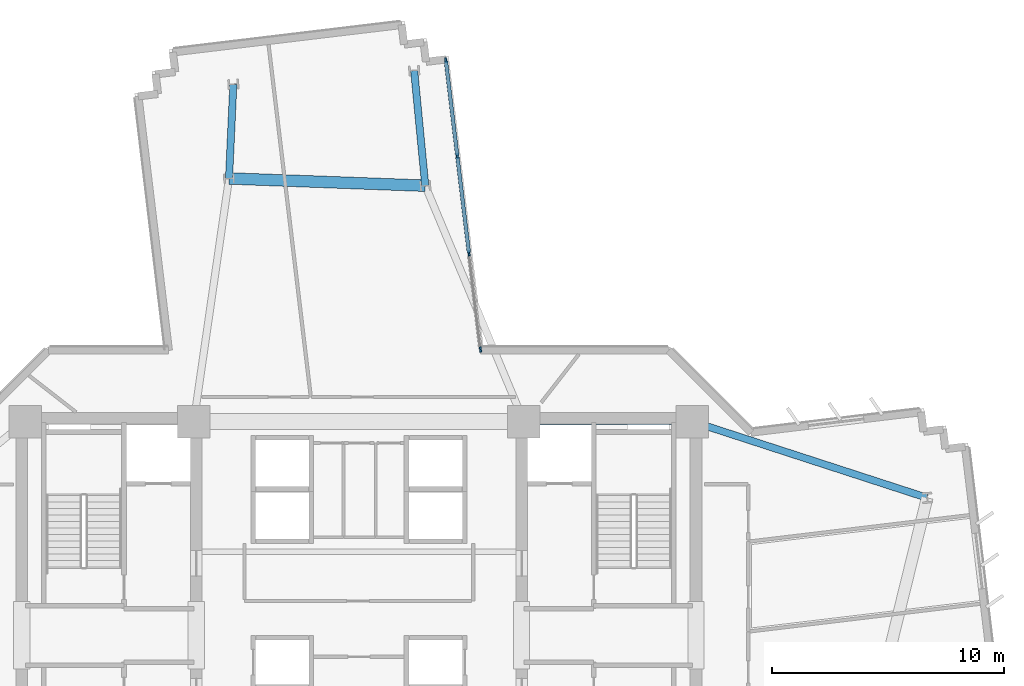
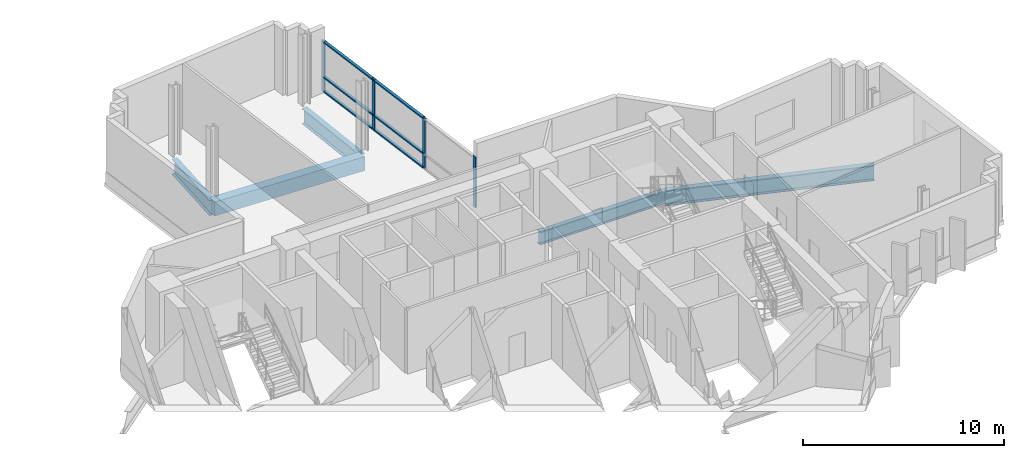
# One storey, part 4 of 15: 10 members, 5 beams, 1 element without a shape of its own.
"""IFC4 building model written with IfcOpenShell, lengths in metres."""

from ifc_helpers import new_model, si_unit, direction, frame, origin, origin_2d, place, context, subcontext, project, spatial, rectangle, i_section, extrude, source, transform, mapped, material, layer, layer_set, material_profile, profile_set, type_object, element, aggregate, save


model = new_model("IFC4")

# Units and contexts
model_context = context("Model", 3, precision=1e-05, world=origin(), true_north=direction((0.0, 1.0)))
body_context = subcontext(model_context, "Body", "Model", "MODEL_VIEW")
ifc_project = project(units=[si_unit("LENGTHUNIT", "METRE"), si_unit("AREAUNIT", "SQUARE_METRE"), si_unit("VOLUMEUNIT", "CUBIC_METRE"), si_unit("PLANEANGLEUNIT", "RADIAN"), si_unit("MASSUNIT", "GRAM", prefix="KILO")], contexts=[model_context])

# Site, building, storey
site_placement = place(None, origin())
site = spatial("IfcSite", under=ifc_project, at=site_placement, CompositionType="ELEMENT")
building_placement = place(site_placement, origin())
building = spatial("IfcBuilding", under=site, at=building_placement, Name="Zahravan Cultural Tower", CompositionType="ELEMENT")
storey_placement = place(building_placement, frame((0.0, 0.0, 104.699951171875)))
storey = spatial("IfcBuildingStorey", under=building, at=storey_placement, Name="L23", CompositionType="ELEMENT", Elevation=104.699951171875)

# Beams
ifc_material_1 = material(Name="Steel ASTM A992 Grade 50", Category="steel")
ifc_material_profile_1 = material_profile(ifc_material_1, i_section(OverallWidth=0.26611328125, OverallDepth=0.780029296875, WebThickness=0.0166015625, FlangeThickness=0.030029296875, FilletRadius=0.01904296875, at=origin_2d()), Name="W30X148")
ifc_profile_set_1 = profile_set([ifc_material_profile_1], Name="Steel ASTM A992 Grade 50")
beam_type_1 = type_object("IfcBeamType", Name="BM-G-W30X148", PredefinedType="BEAM", material=ifc_profile_set_1)
shared_shape_1 = source(origin(), body_context, "Body", "SweptSolid", [
    extrude(i_section(OverallWidth=0.26611328125, OverallDepth=0.780029296875, WebThickness=0.0166015625, FlangeThickness=0.030029296875, FilletRadius=0.01904296875, at=origin_2d()), origin(), (0.0, 0.0, 1.0), 7.25),
])
beam_1_placement = place(storey_placement, frame((43.10009765625, 36.199951171875, -0.639892578125), z_axis=(1.0, 0.0, 0.0), x_axis=(0.0, 1.0, 0.0)))
element("IfcBeam", 1, at=beam_1_placement, inside=storey, type_object=beam_type_1, Name="L23 Beam BG-L23-05", PredefinedType="BEAM", context=body_context, shape_type="MappedRepresentation", body=[
    mapped(shared_shape_1, transform((0.0, 0.0, 0.0), x_axis=(1.0, 0.0, 0.0), y_axis=(0.0, 1.0, 0.0), z_axis=(0.0, 0.0, 1.0), scale=1.0)),
])
ifc_material_profile_2 = material_profile(ifc_material_1, i_section(OverallWidth=0.30908203125, OverallDepth=0.931884765625, WebThickness=0.02099609375, FlangeThickness=0.034423828125, FilletRadius=0.02392578125, at=origin_2d()), Name="W36X210")
ifc_profile_set_2 = profile_set([ifc_material_profile_2], Name="Steel ASTM A992 Grade 50")
beam_type_2 = type_object("IfcBeamType", Name="BM-G-W36X210", PredefinedType="BEAM", material=ifc_profile_set_2)
shared_shape_2 = source(origin(), body_context, "Body", "SweptSolid", [
    extrude(i_section(OverallWidth=0.30908203125, OverallDepth=0.931884765625, WebThickness=0.02099609375, FlangeThickness=0.034423828125, FilletRadius=0.02392578125, at=origin_2d()), origin(), (0.0, 0.0, 1.0), 10.615966796875),
])
beam_2_placement = place(storey_placement, frame((50.35009765625, 36.199951171875, -0.716064453125), z_axis=(0.951063640083, -0.30899506875, 0.0), x_axis=(0.30899506875, 0.951063640083, 0.0)))
element("IfcBeam", 2, at=beam_2_placement, inside=storey, type_object=beam_type_2, Name="L23 Beam BG-L23-11", PredefinedType="BEAM", context=body_context, shape_type="MappedRepresentation", body=[
    mapped(shared_shape_2, transform((0.0, 0.0, 0.0), x_axis=(1.0, 0.0, 0.0), y_axis=(0.0, 1.0, 0.0), z_axis=(0.0, 0.0, 1.0), scale=1.0)),
])
shared_shape_3 = source(origin(), body_context, "Body", "SweptSolid", [
    extrude(i_section(OverallWidth=0.30908203125, OverallDepth=0.931884765625, WebThickness=0.02099609375, FlangeThickness=0.034423828125, FilletRadius=0.02392578125, at=origin_2d()), origin(), (0.0, 0.0, 1.0), 4.973876953125),
])
beam_3_placement = place(storey_placement, frame((38.857421875, 46.346435546875, -0.716064453125), z_axis=(-0.096154779131, 0.995366394073, 0.0), x_axis=(-0.995366394073, -0.096154779131, 0.0)))
element("IfcBeam", 3, at=beam_3_placement, inside=storey, type_object=beam_type_2, Name="L23 Beam BG-L23-15", PredefinedType="BEAM", context=body_context, shape_type="MappedRepresentation", body=[
    mapped(shared_shape_3, transform((0.0, 0.0, 0.0), x_axis=(1.0, 0.0, 0.0), y_axis=(0.0, 1.0, 0.0), z_axis=(0.0, 0.0, 1.0), scale=1.0)),
])
shared_shape_4 = source(origin(), body_context, "Body", "SweptSolid", [
    extrude(i_section(OverallWidth=0.30908203125, OverallDepth=0.931884765625, WebThickness=0.02099609375, FlangeThickness=0.034423828125, FilletRadius=0.02392578125, at=origin_2d()), origin(), (0.0, 0.0, 1.0), 4.0537109375),
])
beam_4_placement = place(storey_placement, frame((30.4150390625, 46.658203125, -0.716064453125), z_axis=(0.045770994677, 0.998951958828, 0.0), x_axis=(-0.998951958828, 0.045770994677, 0.0)))
element("IfcBeam", 4, at=beam_4_placement, inside=storey, type_object=beam_type_2, Name="L23 Beam BG-L23-16", PredefinedType="BEAM", context=body_context, shape_type="MappedRepresentation", body=[
    mapped(shared_shape_4, transform((0.0, 0.0, 0.0), x_axis=(1.0, 0.0, 0.0), y_axis=(0.0, 1.0, 0.0), z_axis=(0.0, 0.0, 1.0), scale=1.0)),
])
ifc_material_2 = material(Name="Concrete C50/60", Category="concrete")
ifc_material_profile_3 = material_profile(ifc_material_2, rectangle(XDim=0.5, YDim=0.85009765625, at=origin_2d()), Name="RC500X850")
ifc_profile_set_3 = profile_set([ifc_material_profile_3], Name="Concrete C50/60")
beam_type_3 = type_object("IfcBeamType", Name="BM-SP-RC500X850", PredefinedType="SPANDREL", material=ifc_profile_set_3)
shared_shape_5 = source(origin(), body_context, "Body", "SweptSolid", [
    extrude(rectangle(XDim=0.5, YDim=0.85009765625, at=origin_2d()), origin(), (0.0, 0.0, 1.0), 8.4482421875),
])
beam_5_placement = place(storey_placement, frame((38.857421875, 46.346435546875, -0.675048828125), z_axis=(-0.999318826256, 0.036903705643, 0.0), x_axis=(-0.036903705643, -0.999318826256, 0.0)))
element("IfcBeam", 5, at=beam_5_placement, inside=storey, type_object=beam_type_3, Name="L23 Beam SP-L23-21", PredefinedType="SPANDREL", context=body_context, shape_type="MappedRepresentation", body=[
    mapped(shared_shape_5, transform((0.0, 0.0, 0.0), x_axis=(1.0, 0.0, 0.0), y_axis=(0.0, 1.0, 0.0), z_axis=(0.0, 0.0, 1.0), scale=1.0)),
])

# Curtain wall, members
ifc_material_3 = material(Name="Anodised bronze-aluminium mullion", Category="aluminium")
ifc_layer = layer(ifc_material_3, 0.219970703125)
ifc_layer_set = layer_set([ifc_layer], Name="Anodised bronze-aluminium mullion")
curtain_wall_type = type_object("IfcCurtainWallType", Name="CW-SYS-1", PredefinedType="USERDEFINED", material=ifc_layer_set)
curtain_wall_placement = place(storey_placement, origin())
curtain_wall = element("IfcCurtainWall", 6, at=curtain_wall_placement, inside=storey, type_object=curtain_wall_type, Name="L23 Recessed Curtain Wall CW-1.2", ObjectType="RECESSED GLAZING", PredefinedType="USERDEFINED")
ifc_material_profile_4 = material_profile(ifc_material_3, rectangle(XDim=0.080078125, YDim=0.219970703125, at=origin_2d()), Name="AL-M80X220")
ifc_profile_set_4 = profile_set([ifc_material_profile_4], Name="Anodised bronze-aluminium mullion")
member_type_1 = type_object("IfcMemberType", Name="CWM-CW-1", PredefinedType="MULLION", material=ifc_profile_set_4)
shared_shape_6 = source(origin(), body_context, "Body", "SweptSolid", [
    extrude(rectangle(XDim=0.080078125, YDim=0.219970703125, at=origin_2d()), origin(), (0.0, 0.0, 1.0), 3.070068359375),
])
member_1_placement = place(storey_placement, frame((39.739990234375, 51.741455078125, 0.0), z_axis=(0.0, 0.0, 1.0), x_axis=(0.992882878226, 0.11909487867, 0.0)))
member_1 = element("IfcMember", 7, at=member_1_placement, type_object=member_type_1, Name="CW-1 mullion 1", PredefinedType="MULLION", context=body_context, shape_type="MappedRepresentation", body=[
    mapped(shared_shape_6, transform((0.0, 0.0, 0.0), x_axis=(1.0, 0.0, 0.0), y_axis=(0.0, 1.0, 0.0), z_axis=(0.0, 0.0, 1.0), scale=1.0)),
])
member_2_placement = place(storey_placement, frame((40.23583984375, 47.607421875, 0.0), z_axis=(0.0, 0.0, 1.0), x_axis=(0.992882878226, 0.11909487867, 0.0)))
member_2 = element("IfcMember", 8, at=member_2_placement, type_object=member_type_1, Name="CW-1 mullion 2", PredefinedType="MULLION", context=body_context, shape_type="MappedRepresentation", body=[
    mapped(shared_shape_6, transform((0.0, 0.0, 0.0), x_axis=(1.0, 0.0, 0.0), y_axis=(0.0, 1.0, 0.0), z_axis=(0.0, 0.0, 1.0), scale=1.0)),
])
member_3_placement = place(storey_placement, frame((40.736572265625, 43.433837890625, 0.0), z_axis=(0.0, 0.0, 1.0), x_axis=(0.992882878226, 0.11909487867, 0.0)))
member_3 = element("IfcMember", 9, at=member_3_placement, type_object=member_type_1, Name="CW-1 mullion 3", PredefinedType="MULLION", context=body_context, shape_type="MappedRepresentation", body=[
    mapped(shared_shape_6, transform((0.0, 0.0, 0.0), x_axis=(1.0, 0.0, 0.0), y_axis=(0.0, 1.0, 0.0), z_axis=(0.0, 0.0, 1.0), scale=1.0)),
])
member_4_placement = place(storey_placement, frame((41.232421875, 39.2998046875, 0.0), z_axis=(0.0, 0.0, 1.0), x_axis=(0.992882878226, 0.11909487867, 0.0)))
member_4 = element("IfcMember", 10, at=member_4_placement, type_object=member_type_1, Name="CW-1 mullion 4", PredefinedType="MULLION", context=body_context, shape_type="MappedRepresentation", body=[
    mapped(shared_shape_6, transform((0.0, 0.0, 0.0), x_axis=(1.0, 0.0, 0.0), y_axis=(0.0, 1.0, 0.0), z_axis=(0.0, 0.0, 1.0), scale=1.0)),
])
ifc_material_profile_5 = material_profile(ifc_material_3, rectangle(XDim=0.159912109375, YDim=0.080078125, at=origin_2d()), Name="AL-T80X160")
ifc_profile_set_5 = profile_set([ifc_material_profile_5], Name="Anodised bronze-aluminium mullion")
member_type_2 = type_object("IfcMemberType", Name="CWT-CW-1", PredefinedType="USERDEFINED", material=ifc_profile_set_5)
shared_shape_7 = source(origin(), body_context, "Body", "SweptSolid", [
    extrude(rectangle(XDim=0.159912109375, YDim=0.080078125, at=origin_2d()), origin(), (0.0, 0.0, 1.0), 4.08349609375),
])
member_5_placement = place(storey_placement, frame((39.74462890625, 51.70166015625, 0.0400390625), z_axis=(0.119095712304, -0.992882778233, 0.0), x_axis=(0.992882778233, 0.119095712304, 0.0)))
member_5 = element("IfcMember", 11, at=member_5_placement, type_object=member_type_2, Name="CW-1 transom 1.1", ObjectType="TRANSOM", PredefinedType="USERDEFINED", context=body_context, shape_type="MappedRepresentation", body=[
    mapped(shared_shape_7, transform((0.0, 0.0, 0.0), x_axis=(1.0, 0.0, 0.0), y_axis=(0.0, 1.0, 0.0), z_axis=(0.0, 0.0, 1.0), scale=1.0)),
])
member_6_placement = place(storey_placement, frame((39.74462890625, 51.70166015625, 0.900146484375), z_axis=(0.119095712304, -0.992882778233, 0.0), x_axis=(0.992882778233, 0.119095712304, 0.0)))
member_6 = element("IfcMember", 12, at=member_6_placement, type_object=member_type_2, Name="CW-1 transom 1.2", ObjectType="TRANSOM", PredefinedType="USERDEFINED", context=body_context, shape_type="MappedRepresentation", body=[
    mapped(shared_shape_7, transform((0.0, 0.0, 0.0), x_axis=(1.0, 0.0, 0.0), y_axis=(0.0, 1.0, 0.0), z_axis=(0.0, 0.0, 1.0), scale=1.0)),
])
member_7_placement = place(storey_placement, frame((39.74462890625, 51.70166015625, 3.030029296875), z_axis=(0.119095712304, -0.992882778233, 0.0), x_axis=(0.992882778233, 0.119095712304, 0.0)))
member_7 = element("IfcMember", 13, at=member_7_placement, type_object=member_type_2, Name="CW-1 transom 1.3", ObjectType="TRANSOM", PredefinedType="USERDEFINED", context=body_context, shape_type="MappedRepresentation", body=[
    mapped(shared_shape_7, transform((0.0, 0.0, 0.0), x_axis=(1.0, 0.0, 0.0), y_axis=(0.0, 1.0, 0.0), z_axis=(0.0, 0.0, 1.0), scale=1.0)),
])
shared_shape_8 = source(origin(), body_context, "Body", "SweptSolid", [
    extrude(rectangle(XDim=0.159912109375, YDim=0.080078125, at=origin_2d()), origin(), (0.0, 0.0, 1.0), 4.123779296875),
])
member_8_placement = place(storey_placement, frame((40.240478515625, 47.56787109375, 0.0400390625), z_axis=(0.11911487242, -0.9928804798, 0.0), x_axis=(0.9928804798, 0.11911487242, 0.0)))
member_8 = element("IfcMember", 14, at=member_8_placement, type_object=member_type_2, Name="CW-1 transom 2.1", ObjectType="TRANSOM", PredefinedType="USERDEFINED", context=body_context, shape_type="MappedRepresentation", body=[
    mapped(shared_shape_8, transform((0.0, 0.0, 0.0), x_axis=(1.0, 0.0, 0.0), y_axis=(0.0, 1.0, 0.0), z_axis=(0.0, 0.0, 1.0), scale=1.0)),
])
member_9_placement = place(storey_placement, frame((40.240478515625, 47.56787109375, 0.900146484375), z_axis=(0.11911487242, -0.9928804798, 0.0), x_axis=(0.9928804798, 0.11911487242, 0.0)))
member_9 = element("IfcMember", 15, at=member_9_placement, type_object=member_type_2, Name="CW-1 transom 2.2", ObjectType="TRANSOM", PredefinedType="USERDEFINED", context=body_context, shape_type="MappedRepresentation", body=[
    mapped(shared_shape_8, transform((0.0, 0.0, 0.0), x_axis=(1.0, 0.0, 0.0), y_axis=(0.0, 1.0, 0.0), z_axis=(0.0, 0.0, 1.0), scale=1.0)),
])
member_10_placement = place(storey_placement, frame((40.240478515625, 47.56787109375, 3.030029296875), z_axis=(0.11911487242, -0.9928804798, 0.0), x_axis=(0.9928804798, 0.11911487242, 0.0)))
member_10 = element("IfcMember", 16, at=member_10_placement, type_object=member_type_2, Name="CW-1 transom 2.3", ObjectType="TRANSOM", PredefinedType="USERDEFINED", context=body_context, shape_type="MappedRepresentation", body=[
    mapped(shared_shape_8, transform((0.0, 0.0, 0.0), x_axis=(1.0, 0.0, 0.0), y_axis=(0.0, 1.0, 0.0), z_axis=(0.0, 0.0, 1.0), scale=1.0)),
])
aggregate(curtain_wall, [member_1, member_2, member_3, member_4, member_5, member_6, member_7, member_8, member_9, member_10])

save(model, "model.ifc")
